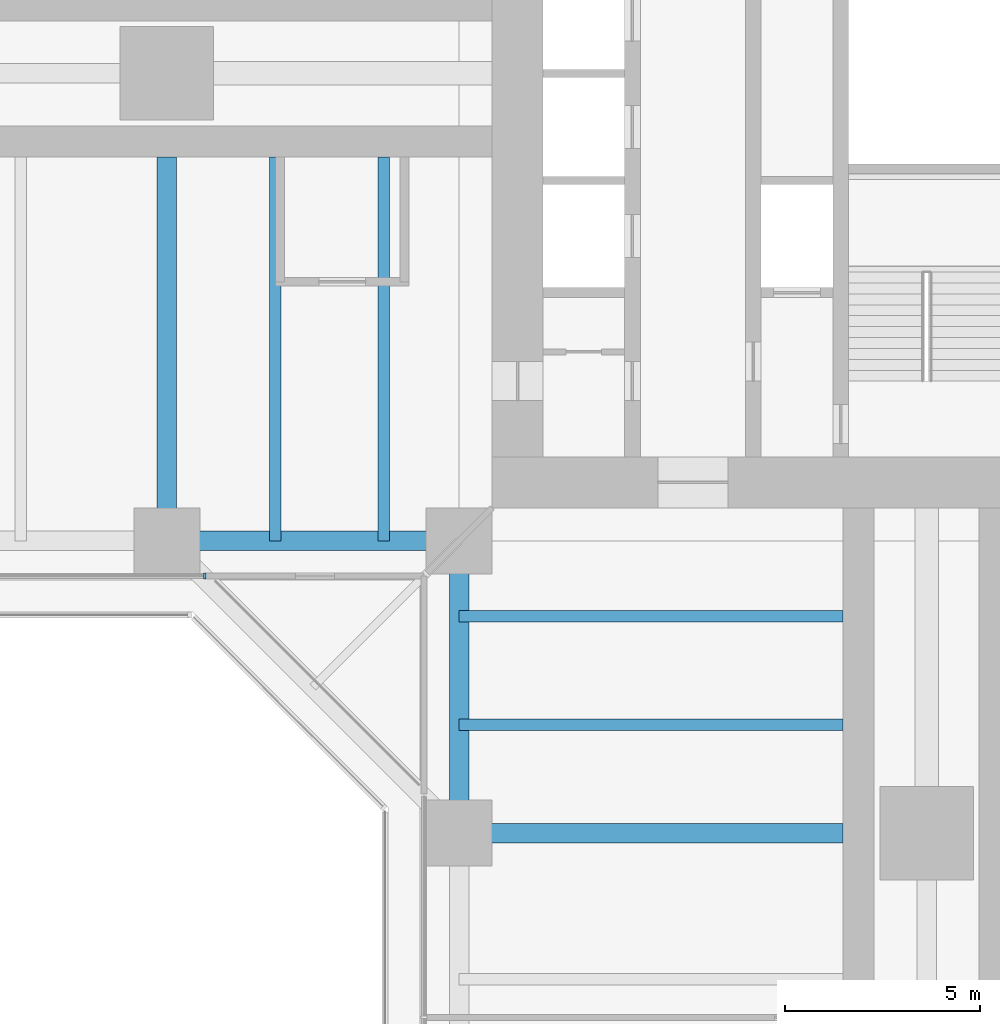
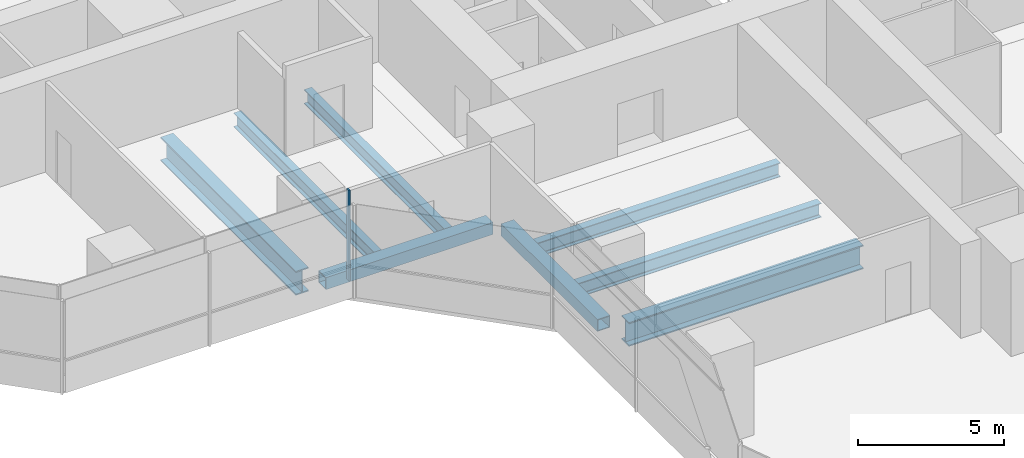
# One storey, part 4 of 22: 8 beams, 1 member, 1 element without a shape of its own.
"""IFC4 building model written with IfcOpenShell, lengths in metres."""

from ifc_helpers import new_model, si_unit, direction, frame, origin, origin_2d, place, context, subcontext, project, spatial, rectangle, hollow_rectangle, i_section, extrude, material, material_profile, profile_set, type_object, element, aggregate, save


model = new_model("IFC4")

# Units and contexts
model_context = context("Model", 3, precision=1e-05, world=origin(), true_north=direction((0.0, 1.0)))
body_context = subcontext(model_context, "Body", "Model", "MODEL_VIEW")
ifc_project = project(units=[si_unit("LENGTHUNIT", "METRE"), si_unit("AREAUNIT", "SQUARE_METRE"), si_unit("VOLUMEUNIT", "CUBIC_METRE"), si_unit("PLANEANGLEUNIT", "RADIAN"), si_unit("MASSUNIT", "GRAM", prefix="KILO")], contexts=[model_context])

# Site, building, storey
site_placement = place(None, origin())
site = spatial("IfcSite", under=ifc_project, at=site_placement, CompositionType="ELEMENT")
building_placement = place(site_placement, origin())
building = spatial("IfcBuilding", under=site, at=building_placement, Name="Mizan Broadcast Tower", CompositionType="ELEMENT")
storey_placement = place(building_placement, frame((0.0, 0.0, 102.0)))
storey = spatial("IfcBuildingStorey", under=building, at=storey_placement, Name="L22", CompositionType="ELEMENT", Elevation=102.0)

# Beams
ifc_material_1 = material(Name="Steel S355", Category="steel")
ifc_material_profile_1 = material_profile(ifc_material_1, hollow_rectangle(XDim=0.5, YDim=0.5, WallThickness=0.030029296875, at=origin_2d()), Name="BOX 500x500x30")
ifc_profile_set_1 = profile_set([ifc_material_profile_1], Name="Steel S355")
beam_type_1 = type_object("IfcBeamType", Name="EDGE BEAM BOX 500x500x30", PredefinedType="SPANDREL", material=ifc_profile_set_1)
for number, where, z_axis, x_axis, name in (
    (1, (-12.449951171875, -12.0, -0.3798828125), (-1.0, 0.0, 0.0), (0.0, -1.0, 0.0), "Edge beam BOX 500x500x30 L22 west arm"),
    (2, (-12.0, -12.449951171875, -0.3798828125), (0.0, -1.0, 0.0), (1.0, 0.0, 0.0), "Edge beam BOX 500x500x30 L22 south arm"),
):
    element("IfcBeam", number, at=place(storey_placement, frame(where, z_axis=z_axis, x_axis=x_axis)), inside=storey, type_object=beam_type_1, Name=name, PredefinedType="SPANDREL", context=body_context, shape_type="SweptSolid", body=[
        extrude(hollow_rectangle(XDim=0.5, YDim=0.5, WallThickness=0.030029296875, at=origin_2d()), origin(), (0.0, 0.0, 1.0), 6.60009765625),
    ])
ifc_material_2 = material(Name="Steel S460", Category="steel")
ifc_material_profile_2 = material_profile(ifc_material_2, i_section(OverallWidth=0.5, OverallDepth=1.0, WebThickness=0.02490234375, FlangeThickness=0.050048828125, at=origin_2d()), Name="WPG 1000x500")
ifc_profile_set_2 = profile_set([ifc_material_profile_2], Name="Steel S460")
beam_type_2 = type_object("IfcBeamType", Name="GIRDER WPG 1000x500", PredefinedType="BEAM", material=ifc_profile_set_2)
for number, where, z_axis, x_axis, name in (
    (3, (-19.5, -11.408935546875, -0.6298828125), (0.0, 1.0, 0.0), (-1.0, 0.0, 0.0), "Girder WPG 1000x500 L22 west arm"),
    (4, (-11.408935546875, -19.5, -0.6298828125), (1.0, 0.0, 0.0), (0.0, 1.0, 0.0), "Girder WPG 1000x500 L22 south arm"),
):
    element("IfcBeam", number, at=place(storey_placement, frame(where, z_axis=z_axis, x_axis=x_axis)), inside=storey, type_object=beam_type_2, Name=name, PredefinedType="BEAM", context=body_context, shape_type="SweptSolid", body=[
        extrude(i_section(OverallWidth=0.5, OverallDepth=1.0, WebThickness=0.02490234375, FlangeThickness=0.050048828125, at=origin_2d()), origin(), (0.0, 0.0, 1.0), 9.259033203125),
    ])

# Curtain wall, member
ifc_material_3 = material(Name="Aluminium framed glazing", Category="aluminium")
curtain_wall_type = type_object("IfcCurtainWallType", Name="INNER SKIN LOW ZONE", PredefinedType="USERDEFINED", material=ifc_material_3)
curtain_wall_placement = place(storey_placement, origin())
curtain_wall = element("IfcCurtainWall", 5, at=curtain_wall_placement, inside=storey, type_object=curtain_wall_type, Name="Inner skin low zone L22 W side", ObjectType="INNER SKIN LOW ZONE", PredefinedType="USERDEFINED")
ifc_material_4 = material(Name="Aluminium, pale anodised", Category="aluminium")
ifc_material_profile_3 = material_profile(ifc_material_4, rectangle(XDim=0.159912109375, YDim=0.06005859375, at=origin_2d()), Name="MULLION 160x60")
ifc_profile_set_3 = profile_set([ifc_material_profile_3], Name="Aluminium, pale anodised")
member_type = type_object("IfcMemberType", Name="INNER SKIN MULLION 60x160", PredefinedType="MULLION", material=ifc_profile_set_3)
member_placement = place(storey_placement, frame((-18.530029296875, -12.89990234375, 0.0), z_axis=(0.0, 0.0, 1.0), x_axis=(0.0, 1.0, 0.0)))
member = element("IfcMember", 6, at=member_placement, type_object=member_type, Name="Inner skin low zone L22 W side mullion 3", PredefinedType="MULLION", context=body_context, shape_type="SweptSolid", body=[
    extrude(rectangle(XDim=0.159912109375, YDim=0.06005859375, at=origin_2d()), origin(), (0.0, 0.0, 1.0), 3.77001953125),
])
aggregate(curtain_wall, [member])

# Beams
ifc_material_5 = material(Name="Steel S355", Category="steel")
ifc_material_profile_4 = material_profile(ifc_material_5, i_section(OverallWidth=0.300048828125, OverallDepth=0.590087890625, WebThickness=0.012939453125, FlangeThickness=0.02490234375, FilletRadius=0.027099609375, at=origin_2d()), Name="HEA 600")
ifc_profile_set_4 = profile_set([ifc_material_profile_4], Name="Steel S355")
beam_type_3 = type_object("IfcBeamType", Name="SECONDARY BEAM HEA 600", PredefinedType="JOIST", material=ifc_profile_set_4)
for number, where, z_axis, x_axis, name in (
    (7, (-13.933349609375, -12.0, -0.425048828125), (0.0, 1.0, 0.0), (-1.0, 0.0, 0.0), "Secondary beam HEA 600 L22 west arm"),
    (8, (-16.716552734375, -12.0, -0.425048828125), (0.0, 1.0, 0.0), (-1.0, 0.0, 0.0), "Secondary beam HEA 600 L22 west arm"),
    (9, (-12.0, -13.933349609375, -0.425048828125), (1.0, 0.0, 0.0), (0.0, 1.0, 0.0), "Secondary beam HEA 600 L22 south arm"),
    (10, (-12.0, -16.716552734375, -0.425048828125), (1.0, 0.0, 0.0), (0.0, 1.0, 0.0), "Secondary beam HEA 600 L22 south arm"),
):
    element("IfcBeam", number, at=place(storey_placement, frame(where, z_axis=z_axis, x_axis=x_axis)), inside=storey, type_object=beam_type_3, Name=name, PredefinedType="JOIST", context=body_context, shape_type="SweptSolid", body=[
        extrude(i_section(OverallWidth=0.300048828125, OverallDepth=0.590087890625, WebThickness=0.012939453125, FlangeThickness=0.02490234375, FilletRadius=0.027099609375, at=origin_2d()), origin(), (0.0, 0.0, 1.0), 9.85009765625),
    ])

save(model, "model.ifc")
